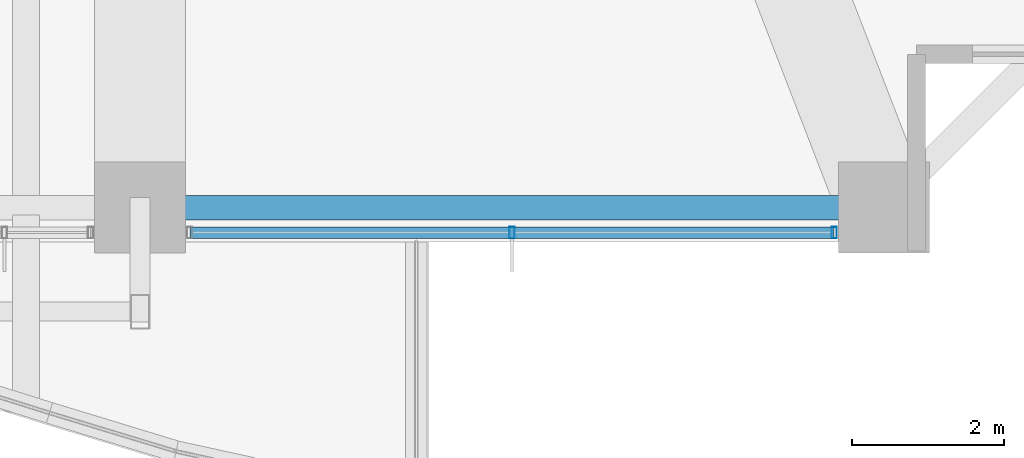
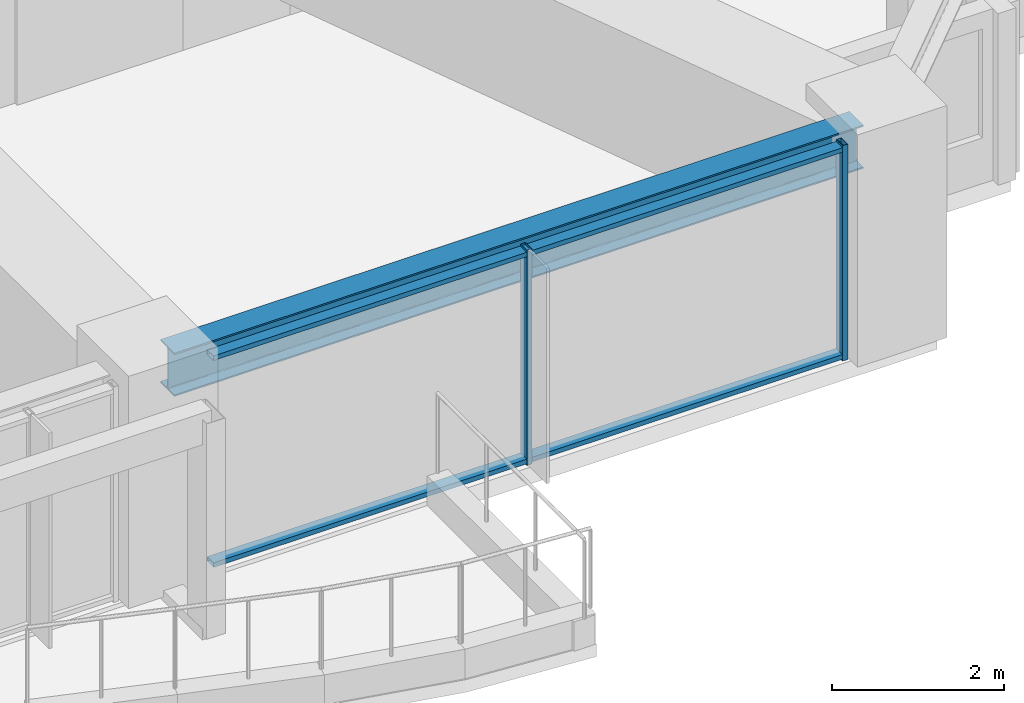
# One storey, part 10 of 37: 4 members, 1 beam, 1 element without a shape of its own.
"""IFC4 building model written with IfcOpenShell, lengths in metres."""

from ifc_helpers import new_model, si_unit, direction, frame, origin, origin_2d, place, context, subcontext, project, spatial, hollow_rectangle, i_section, extrude, material, material_profile, profile_set, type_object, element, aggregate, save


model = new_model("IFC4")

# Units and contexts
model_context = context("Model", 3, precision=1e-05, world=origin(), true_north=direction((0.0, 1.0)))
body_context = subcontext(model_context, "Body", "Model", "MODEL_VIEW")
ifc_project = project(units=[si_unit("LENGTHUNIT", "METRE"), si_unit("AREAUNIT", "SQUARE_METRE"), si_unit("VOLUMEUNIT", "CUBIC_METRE"), si_unit("PLANEANGLEUNIT", "RADIAN"), si_unit("MASSUNIT", "GRAM", prefix="KILO")], contexts=[model_context])

# Site, building, storey
site_placement = place(None, origin())
site = spatial("IfcSite", under=ifc_project, at=site_placement, CompositionType="ELEMENT")
building_placement = place(site_placement, origin())
building = spatial("IfcBuilding", under=site, at=building_placement, Name="Kolvaren Belvedere", CompositionType="ELEMENT")
storey_placement = place(building_placement, frame((0.0, 0.0, 56.800048828125)))
storey = spatial("IfcBuildingStorey", under=building, at=storey_placement, Name="L16", CompositionType="ELEMENT", Elevation=56.800048828125)

# Beam
ifc_material_1 = material(Name="Structural steel ASTM A992 Grade 50", Category="steel")
ifc_material_profile_1 = material_profile(ifc_material_1, i_section(OverallWidth=0.324951171875, OverallDepth=0.615966796875, WebThickness=0.013916015625, FlangeThickness=0.021484375, FilletRadius=0.02001953125, at=origin_2d()), Name="W24X117")
ifc_profile_set_1 = profile_set([ifc_material_profile_1], Name="Structural steel ASTM A992 Grade 50")
beam_type = type_object("IfcBeamType", Name="BM-SPAN-W24X117", PredefinedType="SPANDREL", material=ifc_profile_set_1)
beam_placement = place(storey_placement, frame((4.8701171875, -21.550048828125, 2.751953125), z_axis=(1.0, 0.0, 0.0), x_axis=(0.0, 1.0, 0.0)))
element("IfcBeam", 1, at=beam_placement, inside=storey, type_object=beam_type, Name="L16 Perimeter Spandrel S3-S4", PredefinedType="SPANDREL", context=body_context, shape_type="SweptSolid", body=[
    extrude(i_section(OverallWidth=0.324951171875, OverallDepth=0.615966796875, WebThickness=0.013916015625, FlangeThickness=0.021484375, FilletRadius=0.02001953125, at=origin_2d()), origin(), (0.0, 0.0, 1.0), 9.259765625),
])

# Curtain wall, members
ifc_material_2 = material(Name="Anodised pale-metal aluminium AA 6063-T6", Category="aluminium")
curtain_wall_type = type_object("IfcCurtainWallType", Name="CW-Z1-LOW", PredefinedType="NOTDEFINED", material=ifc_material_2)
curtain_wall_placement = place(storey_placement, origin())
curtain_wall = element("IfcCurtainWall", 2, at=curtain_wall_placement, inside=storey, type_object=curtain_wall_type, Name="L16 Unitised Curtain Wall FCW-L16-S1-B1", PredefinedType="NOTDEFINED")
ifc_material_3 = material(Name="Anodised pale-metal aluminium AA 6063-T6", Category="aluminium")
ifc_material_profile_2 = material_profile(ifc_material_3, hollow_rectangle(XDim=0.070068359375, YDim=0.14990234375, WallThickness=0.004150390625, at=origin_2d()), Name="ALU-MUL-150X70")
ifc_profile_set_2 = profile_set([ifc_material_profile_2], Name="Anodised pale-metal aluminium AA 6063-T6")
member_type_1 = type_object("IfcMemberType", Name="CW-MUL-150", PredefinedType="MULLION", material=ifc_profile_set_2)
member_1_placement = place(storey_placement, frame((13.7451171875, -21.8798828125, 0.0), z_axis=(0.0, 0.0, 1.0), x_axis=(1.0, 0.0, 0.0)))
member_1 = element("IfcMember", 3, at=member_1_placement, type_object=member_type_1, Name="FCW-L16-S1-B1 Unitised Mullion 1", PredefinedType="MULLION", context=body_context, shape_type="SweptSolid", body=[
    extrude(hollow_rectangle(XDim=0.070068359375, YDim=0.14990234375, WallThickness=0.004150390625, at=origin_2d()), origin(), (0.0, 0.0, 1.0), 3.06005859375),
])
member_2_placement = place(storey_placement, frame((9.5, -21.8798828125, 0.0), z_axis=(0.0, 0.0, 1.0), x_axis=(1.0, 0.0, 0.0)))
member_2 = element("IfcMember", 4, at=member_2_placement, type_object=member_type_1, Name="FCW-L16-S1-B1 Unitised Mullion 2", PredefinedType="MULLION", context=body_context, shape_type="SweptSolid", body=[
    extrude(hollow_rectangle(XDim=0.070068359375, YDim=0.14990234375, WallThickness=0.004150390625, at=origin_2d()), origin(), (0.0, 0.0, 1.0), 3.06005859375),
])
ifc_material_4 = material(Name="Anodised pale-metal aluminium AA 6063-T6", Category="aluminium")
ifc_material_profile_3 = material_profile(ifc_material_4, hollow_rectangle(XDim=0.06494140625, YDim=0.14990234375, WallThickness=0.00390625, at=origin_2d()), Name="ALU-TRN-150X65")
ifc_profile_set_3 = profile_set([ifc_material_profile_3], Name="Anodised pale-metal aluminium AA 6063-T6")
member_type_2 = type_object("IfcMemberType", Name="CW-TRN-150", PredefinedType="USERDEFINED", material=ifc_profile_set_3)
member_3_placement = place(storey_placement, frame((13.7451171875, -21.8798828125, 0.06005859375), z_axis=(-1.0, 0.0, 0.0), x_axis=(0.0, 0.0, 1.0)))
member_3 = element("IfcMember", 5, at=member_3_placement, type_object=member_type_2, Name="FCW-L16-S1-B1 Sill Transom", ObjectType="TRANSOM", PredefinedType="USERDEFINED", context=body_context, shape_type="SweptSolid", body=[
    extrude(hollow_rectangle(XDim=0.06494140625, YDim=0.14990234375, WallThickness=0.00390625, at=origin_2d()), origin(), (0.0, 0.0, 1.0), 8.490234375),
])
member_4_placement = place(storey_placement, frame((13.7451171875, -21.8798828125, 3.0), z_axis=(-1.0, 0.0, 0.0), x_axis=(0.0, 0.0, 1.0)))
member_4 = element("IfcMember", 6, at=member_4_placement, type_object=member_type_2, Name="FCW-L16-S1-B1 Head Transom", ObjectType="TRANSOM", PredefinedType="USERDEFINED", context=body_context, shape_type="SweptSolid", body=[
    extrude(hollow_rectangle(XDim=0.06494140625, YDim=0.14990234375, WallThickness=0.00390625, at=origin_2d()), origin(), (0.0, 0.0, 1.0), 8.490234375),
])
aggregate(curtain_wall, [member_1, member_2, member_3, member_4])

save(model, "model.ifc")
